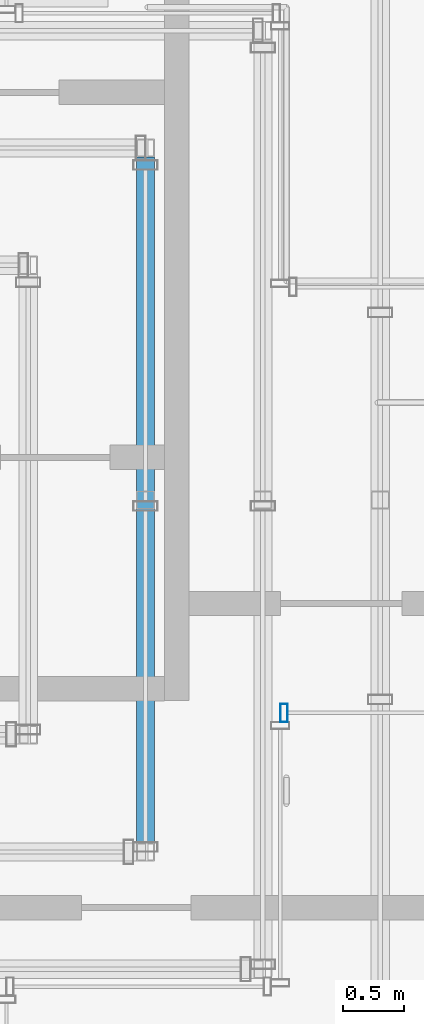
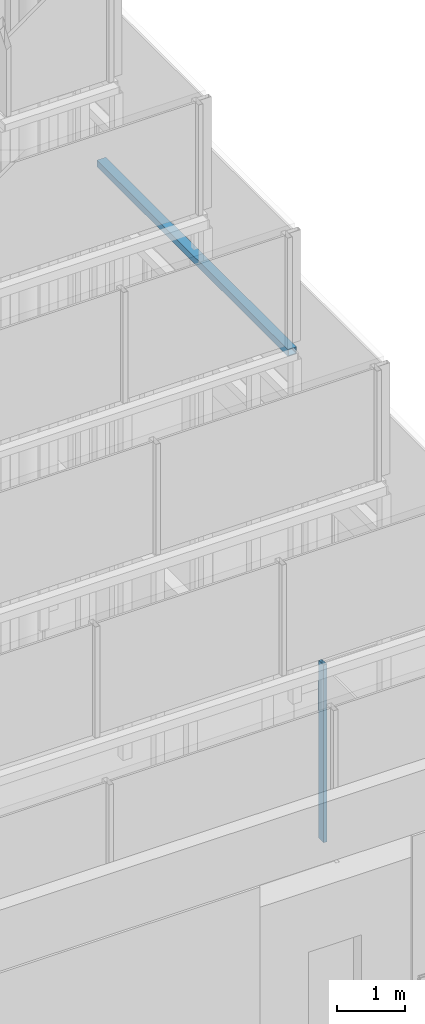
# One storey, part 41 of 62: 1 beam, 1 member, 1 element without a shape of its own.
"""IFC4 building model written with IfcOpenShell, lengths in metres."""

import ifcopenshell
import ifcopenshell.guid

model = None  # the IFC model being written
_history = None  # IfcOwnerHistory: only IFC2X3 demands one
_inside = {}  # id of a spatial element -> (the spatial element, [elements in it])
_under = {}  # id of a project, library or spatial element -> (it, [spatial elements below it])
_declared = {}  # id of a project -> (the project, [libraries it declares])
_typed = {}  # id of a type object -> (the type object, [elements of that type])
_made_of = {}  # id of a material, layer set ... -> (it, [elements and type objects made of it])


def new_model(schema):
    """Start an empty IFC model of exactly this schema.

    Asked for "IFC4X3", IfcOpenShell would pick the latest addendum, in which some entities
    have other attributes; the version numbers below select the first issue.
    IFC2X3 requires an IfcOwnerHistory on every rooted entity: one is made here for all.
    """
    global model, _history
    if schema == "IFC4X3":
        model = ifcopenshell.file(schema_version=(4, 3, 0, 0))
    else:
        model = ifcopenshell.file(schema=schema)
    _inside.clear()
    _under.clear()
    _declared.clear()
    _typed.clear()
    _made_of.clear()
    _history = None
    if model.schema == "IFC2X3":
        org = make("IfcOrganization", Name="unknown")
        user = make(
            "IfcPersonAndOrganization",
            ThePerson=make("IfcPerson", FamilyName="unknown"),
            TheOrganization=org,
        )
        app = make(
            "IfcApplication",
            ApplicationDeveloper=org,
            Version="unknown",
            ApplicationFullName="unknown",
            ApplicationIdentifier="unknown",
        )
        _history = make(
            "IfcOwnerHistory",
            OwningUser=user,
            OwningApplication=app,
            ChangeAction="ADDED",
            CreationDate=0,
        )
    return model


def make(cls, **values):
    """One entity of the class cls with the attributes given. An attribute that is None is left unset."""
    return model.create_entity(
        cls, **{name: value for name, value in values.items() if value is not None}
    )


def rooted(cls, **values):
    """An entity with a GlobalId (a new one), such as an element, a storey or a relation."""
    return make(cls, GlobalId=ifcopenshell.guid.new(), OwnerHistory=_history, **values)


def si_unit(unit_type, name, prefix=None):
    """IfcSIUnit, for example si_unit("LENGTHUNIT", "METRE", prefix="MILLI")."""
    return make("IfcSIUnit", UnitType=unit_type, Prefix=prefix, Name=name)


def assignment(units):
    """IfcUnitAssignment: the units of a project."""
    return None if units is None else make("IfcUnitAssignment", Units=units)


def point(xyz):
    """IfcCartesianPoint."""
    return None if xyz is None else make("IfcCartesianPoint", Coordinates=xyz)


def direction(xyz):
    """IfcDirection."""
    return None if xyz is None else make("IfcDirection", DirectionRatios=xyz)


def frame(location, z_axis=None, x_axis=None):
    """IfcAxis2Placement3D, a coordinate frame: its origin and axes. An axis left out is left unset."""
    return make(
        "IfcAxis2Placement3D",
        Location=point(location),
        Axis=direction(z_axis),
        RefDirection=direction(x_axis),
    )


def frame_2d(location, x_axis=None):
    """IfcAxis2Placement2D, a coordinate frame in the plane: its origin and x axis."""
    return make(
        "IfcAxis2Placement2D", Location=point(location), RefDirection=direction(x_axis)
    )


def origin():
    """The frame at (0, 0, 0) with its axes left unset."""
    return frame((0.0, 0.0, 0.0))


def origin_2d():
    """The frame at (0, 0) in the plane with its x axis left unset."""
    return frame_2d((0.0, 0.0))


def place(relative_to, where):
    """IfcLocalPlacement: puts the frame where relative to a parent placement (None: the world)."""
    return make(
        "IfcLocalPlacement", PlacementRelTo=relative_to, RelativePlacement=where
    )


def context(
    kind, dimensions, precision=None, world=None, true_north=None, identifier=None
):
    """IfcGeometricRepresentationContext, for example the 3D "Model" context."""
    return make(
        "IfcGeometricRepresentationContext",
        ContextIdentifier=identifier,
        ContextType=kind,
        CoordinateSpaceDimension=dimensions,
        Precision=precision,
        WorldCoordinateSystem=world,
        TrueNorth=true_north,
    )


def subcontext(parent, identifier, kind, view, scale=None):
    """IfcGeometricRepresentationSubContext, for example "Body" below "Model"."""
    return make(
        "IfcGeometricRepresentationSubContext",
        ContextIdentifier=identifier,
        ContextType=kind,
        ParentContext=parent,
        TargetScale=scale,
        TargetView=view,
    )


def project(units=None, contexts=None):
    """IfcProject with its units and contexts."""
    return rooted(
        "IfcProject",
        Name="project",
        RepresentationContexts=contexts,
        UnitsInContext=assignment(units),
    )


def spatial(cls, under=None, at=None, **own):
    """A site, building, storey or space (cls), placed at a placement, below another one or the project."""
    s = rooted(cls, ObjectPlacement=at, **own)
    if under is not None:
        _under.setdefault(under.id(), (under, []))[1].append(s)
    return s


def profile(cls, at=None, kind="AREA", **sizes):
    """A parametric profile (cls). Its sizes go by their IFC names, for example OverallWidth=200.0."""
    return make(cls, ProfileType=kind, Position=at, **sizes)


def hollow_rectangle(**sizes):
    """IfcRectangleHollowProfileDef."""
    return profile("IfcRectangleHollowProfileDef", **sizes)


def extrude(swept, where, along, depth):
    """IfcExtrudedAreaSolid: the profile swept, set in the frame where, extruded along a direction by depth."""
    return make(
        "IfcExtrudedAreaSolid",
        SweptArea=swept,
        Position=where,
        ExtrudedDirection=direction(along),
        Depth=depth,
    )


def shape(context_of_items, identifier, shape_type, items):
    """IfcShapeRepresentation: the items that make up one representation, for example the "Body"."""
    return make(
        "IfcShapeRepresentation",
        ContextOfItems=context_of_items,
        RepresentationIdentifier=identifier,
        RepresentationType=shape_type,
        Items=items,
    )


def material(Name=None, Category=None):
    """IfcMaterial."""
    return make("IfcMaterial", Name=Name, Category=Category)


def material_profile(
    of_material, cross_section, Name=None, Category=None, Priority=None
):
    """IfcMaterialProfile: a cross section and its material."""
    return make(
        "IfcMaterialProfile",
        Name=Name,
        Material=of_material,
        Profile=cross_section,
        Priority=Priority,
        Category=Category,
    )


def profile_set(profiles, Name=None, composite=None):
    """IfcMaterialProfileSet."""
    return make(
        "IfcMaterialProfileSet",
        Name=Name,
        MaterialProfiles=profiles,
        CompositeProfile=composite,
    )


def made_of(thing, what):
    """Note that an element or type object is made of a material, layer set ...; save() writes the relation."""
    if what is not None:
        _made_of.setdefault(what.id(), (what, []))[1].append(thing)
    return thing


def type_object(cls, material=None, **own):
    """A type object (cls), such as IfcWallType, which elements share."""
    return made_of(rooted(cls, **own), material)


def element(
    cls,
    number,
    at=None,
    inside=None,
    cuts=None,
    type_object=None,
    material=None,
    context=None,
    identifier="Body",
    shape_type=None,
    held_by="IfcProductDefinitionShape",
    body=None,
    shapes=None,
    **own,
):
    """One element of the class cls, such as IfcWall. Its Tag is "e" and its number.

    at: its placement. inside: the storey or other place that contains it. cuts: it is an
    opening in that element (IfcRelVoidsElement). A single representation is given by context,
    identifier, shape_type and body (its items); several are given by shapes. held_by: the class
    of the entity that holds the representations. save() writes the other relations.
    """
    e = rooted(cls, Tag="e%d" % number, ObjectPlacement=at, **own)
    if body is not None:
        shapes = [shape(context, identifier, shape_type, body)]
    if shapes is not None:
        e.Representation = make(held_by, Representations=shapes)
    if inside is not None:
        _inside.setdefault(inside.id(), (inside, []))[1].append(e)
    if cuts is not None:
        rooted(
            "IfcRelVoidsElement", RelatingBuildingElement=cuts, RelatedOpeningElement=e
        )
    if type_object is not None:
        _typed.setdefault(type_object.id(), (type_object, []))[1].append(e)
    return made_of(e, material)


def aggregate(whole, parts):
    """IfcRelAggregates: a whole, such as a stair, and the parts it consists of."""
    return rooted("IfcRelAggregates", RelatingObject=whole, RelatedObjects=parts)


def save(model, path):
    """Write the relations noted so far, then the file.

    IfcRelAggregates (storeys below a building ...), IfcRelContainedInSpatialStructure (elements
    in a storey), IfcRelDefinesByType, IfcRelAssociatesMaterial and IfcRelDeclares: one each for
    every whole, place, type object, material and project.
    """
    for whole, parts in _under.values():
        aggregate(whole, parts)
    for where, things in _inside.values():
        rooted(
            "IfcRelContainedInSpatialStructure",
            RelatedElements=things,
            RelatingStructure=where,
        )
    for kind, things in _typed.values():
        rooted("IfcRelDefinesByType", RelatedObjects=things, RelatingType=kind)
    for what, things in _made_of.values():
        rooted("IfcRelAssociatesMaterial", RelatedObjects=things, RelatingMaterial=what)
    for by, libraries in _declared.values():
        rooted("IfcRelDeclares", RelatingContext=by, RelatedDefinitions=libraries)
    model.write(path)


model = new_model("IFC4")

# Units and contexts
model_context = context("Model", 3, precision=1e-05, world=origin(), true_north=direction((0.0, 1.0)))
body_context = subcontext(model_context, "Body", "Model", "MODEL_VIEW")
ifc_project = project(units=[si_unit("LENGTHUNIT", "METRE"), si_unit("AREAUNIT", "SQUARE_METRE"), si_unit("VOLUMEUNIT", "CUBIC_METRE"), si_unit("PLANEANGLEUNIT", "RADIAN"), si_unit("MASSUNIT", "GRAM", prefix="KILO")], contexts=[model_context])

# Site, building, storey
site_placement = place(None, origin())
site = spatial("IfcSite", under=ifc_project, at=site_placement, CompositionType="ELEMENT")
building_placement = place(site_placement, origin())
building = spatial("IfcBuilding", under=site, at=building_placement, Name="Altepetl Exchange Towers", CompositionType="ELEMENT")
storey_placement = place(building_placement, frame((0.0, 0.0, 210.0)))
storey = spatial("IfcBuildingStorey", under=building, at=storey_placement, Name="L53", CompositionType="ELEMENT", Elevation=210.0)

# Beam
ifc_material_1 = material(Name="Steel S355", Category="steel")
ifc_material_profile_1 = material_profile(ifc_material_1, hollow_rectangle(XDim=0.14990234375, YDim=0.1201171875, WallThickness=0.008056640625, at=origin_2d()), Name="RHS 120x150x8")
ifc_profile_set_1 = profile_set([ifc_material_profile_1], Name="Steel S355")
beam_type = type_object("IfcBeamType", Name="Crown ring beam hollow section 150x120x8", PredefinedType="BEAM", material=ifc_profile_set_1)
beam_placement = place(storey_placement, frame((113.142822265625, 39.93212890625, 9.840087890625), z_axis=(0.0, 1.0, 0.0), x_axis=(-1.0, 0.0, 0.0)))
element("IfcBeam", 1, at=beam_placement, inside=storey, type_object=beam_type, Name="Crown ring beam", PredefinedType="BEAM", context=body_context, shape_type="SweptSolid", body=[
    extrude(hollow_rectangle(XDim=0.14990234375, YDim=0.1201171875, WallThickness=0.008056640625, at=origin_2d()), origin(), (0.0, 0.0, 1.0), 5.6357421875),
])

# Curtain wall, member
ifc_material_2 = material(Name="Aluminium 6063-T6 glazing", Category="aluminium")
curtain_wall_type = type_object("IfcCurtainWallType", Name="Loggia glazing system", PredefinedType="NOTDEFINED", material=ifc_material_2)
curtain_wall_placement = place(storey_placement, origin())
curtain_wall = element("IfcCurtainWall", 2, at=curtain_wall_placement, inside=storey, type_object=curtain_wall_type, Name="CW1 run", PredefinedType="NOTDEFINED")
ifc_material_3 = material(Name="Aluminium 6063-T6", Category="aluminium")
ifc_material_profile_2 = material_profile(ifc_material_3, hollow_rectangle(XDim=0.06005859375, YDim=0.14990234375, WallThickness=0.0029296875, at=origin_2d()), Name="Mullion 60x150 aluminium")
ifc_profile_set_2 = profile_set([ifc_material_profile_2], Name="Aluminium 6063-T6")
member_type = type_object("IfcMemberType", Name="Mullion 60x150 aluminium", PredefinedType="MULLION", material=ifc_profile_set_2)
member_placement = place(storey_placement, frame((114.280029296875, 41.0, 0.0)))
member = element("IfcMember", 3, at=member_placement, type_object=member_type, Name="MU1 mullion", PredefinedType="MULLION", context=body_context, shape_type="SweptSolid", body=[
    extrude(hollow_rectangle(XDim=0.06005859375, YDim=0.14990234375, WallThickness=0.0029296875, at=origin_2d()), origin(), (0.0, 0.0, 1.0), 3.199951171875),
])
aggregate(curtain_wall, [member])

save(model, "model.ifc")
